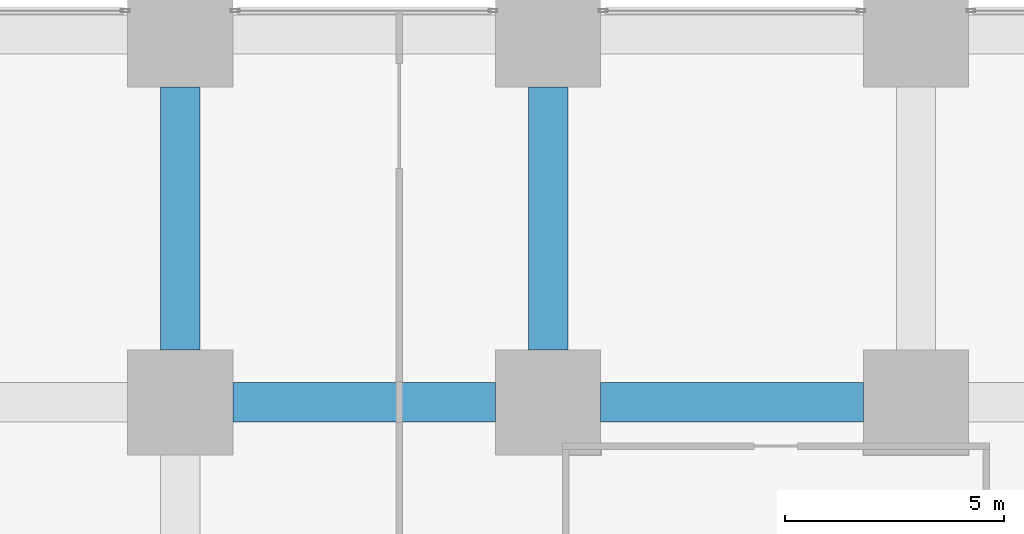
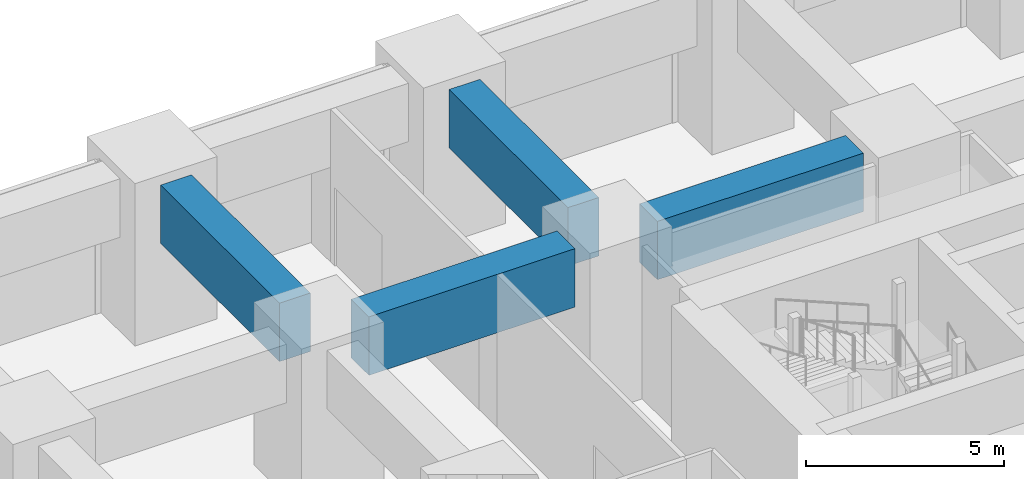
# One storey, part 24 of 49: 4 beams.
"""IFC4 building model written with IfcOpenShell, lengths in metres."""

from ifc_helpers import new_model, si_unit, direction, frame, origin, origin_2d, place, context, subcontext, project, spatial, rectangle, extrude, material, material_profile, profile_set, type_object, element, save


model = new_model("IFC4")

# Units and contexts
model_context = context("Model", 3, precision=1e-05, world=origin(), true_north=direction((0.0, 1.0)))
body_context = subcontext(model_context, "Body", "Model", "MODEL_VIEW")
ifc_project = project(units=[si_unit("LENGTHUNIT", "METRE"), si_unit("AREAUNIT", "SQUARE_METRE"), si_unit("VOLUMEUNIT", "CUBIC_METRE"), si_unit("PLANEANGLEUNIT", "RADIAN"), si_unit("MASSUNIT", "GRAM", prefix="KILO")], contexts=[model_context])

# Site, building, storey
site_placement = place(None, origin())
site = spatial("IfcSite", under=ifc_project, at=site_placement, CompositionType="ELEMENT")
building_placement = place(site_placement, origin())
building = spatial("IfcBuilding", under=site, at=building_placement, Name="Rekha Terrace Tower", CompositionType="ELEMENT")
storey_placement = place(building_placement, frame((0.0, 0.0, 5.39990234375)))
storey = spatial("IfcBuildingStorey", under=building, at=storey_placement, Name="L01", CompositionType="ELEMENT", Elevation=5.39990234375)

# Beams
ifc_material = material(Name="Concrete M60", Category="concrete")
ifc_material_profile = material_profile(ifc_material, rectangle(XDim=0.89990234375, YDim=1.800048828125, at=origin_2d()), Name="RC 900x1800")
ifc_profile_set = profile_set([ifc_material_profile], Name="Concrete M60")
beam_type = type_object("IfcBeamType", Name="G1 900x1800 podium floor beam", PredefinedType="BEAM", material=ifc_profile_set)
for number, where, z_axis, x_axis, name in (
    (1, (18.0, 50.39990234375, 3.800048828125), (1.0, 0.0, 0.0), (0.0, 1.0, 0.0), "Beam G1 3G-4G under L02"),
    (2, (16.800048828125, 51.60009765625, 3.800048828125), (0.0, 1.0, 0.0), (-1.0, 0.0, 0.0), "Beam G1 3G-3H under L02"),
    (3, (26.39990234375, 50.39990234375, 3.800048828125), (1.0, 0.0, 0.0), (0.0, 1.0, 0.0), "Beam G1 4G-5G under L02"),
    (4, (25.199951171875, 51.60009765625, 3.800048828125), (0.0, 1.0, 0.0), (-1.0, 0.0, 0.0), "Beam G1 4G-4H under L02"),
):
    element("IfcBeam", number, at=place(storey_placement, frame(where, z_axis=z_axis, x_axis=x_axis)), inside=storey, type_object=beam_type, Name=name, PredefinedType="BEAM", context=body_context, shape_type="SweptSolid", body=[
        extrude(rectangle(XDim=0.89990234375, YDim=1.800048828125, at=origin_2d()), origin(), (0.0, 0.0, 1.0), 6.0),
    ])

save(model, "model.ifc")
